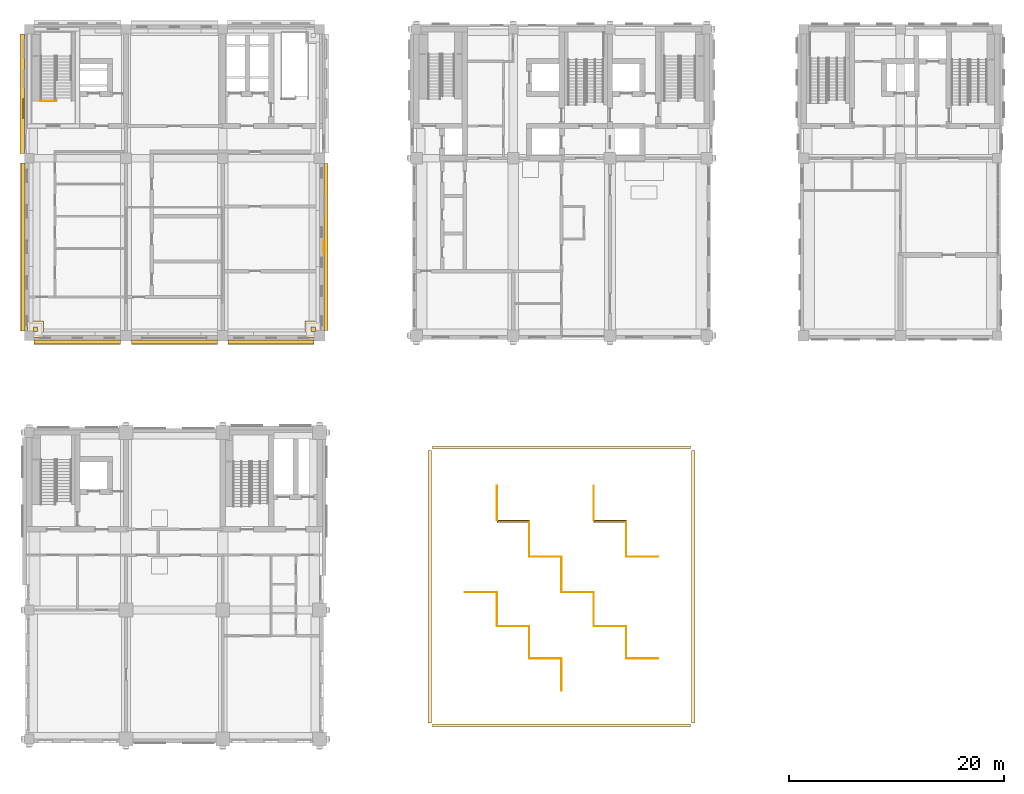
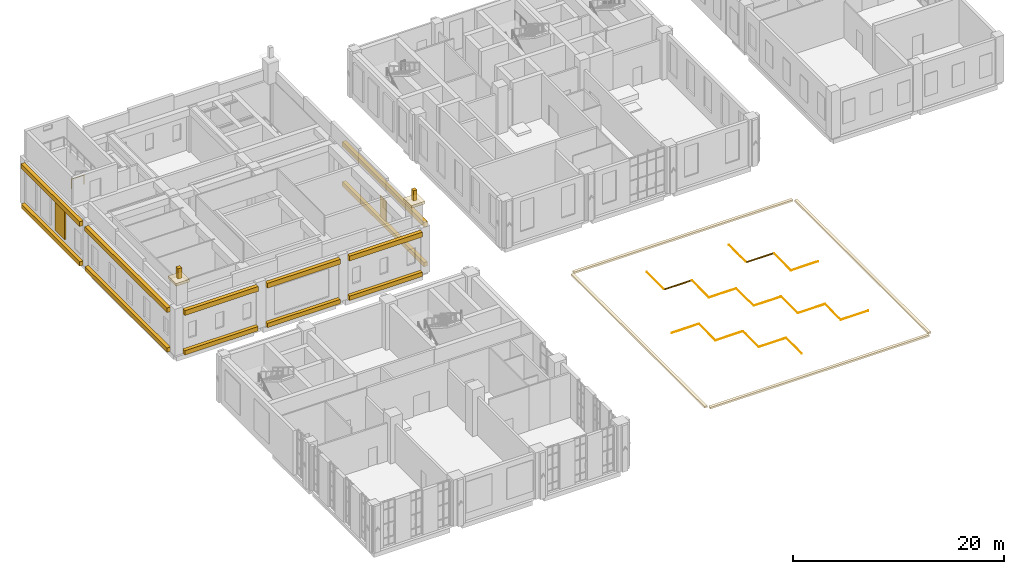
# One storey, part 29 of 37: 42 coverings, 1 railing.
"""IFC4 building model written with IfcOpenShell, lengths in metres."""

from ifc_helpers import new_model, si_unit, direction, frame, origin, origin_2d, place, context, subcontext, project, spatial, rectangle, circle, extrude, material, layer, layer_set, type_object, element, save


model = new_model("IFC4")

# Units and contexts
model_context = context("Model", 3, precision=1e-05, world=origin(), true_north=direction((0.0, 1.0)))
body_context = subcontext(model_context, "Body", "Model", "MODEL_VIEW")
ifc_project = project(units=[si_unit("LENGTHUNIT", "METRE"), si_unit("AREAUNIT", "SQUARE_METRE"), si_unit("VOLUMEUNIT", "CUBIC_METRE"), si_unit("PLANEANGLEUNIT", "RADIAN"), si_unit("MASSUNIT", "GRAM", prefix="KILO")], contexts=[model_context])

# Site, building, storey
site_placement = place(None, origin())
site = spatial("IfcSite", under=ifc_project, at=site_placement, CompositionType="ELEMENT")
building_placement = place(site_placement, origin())
building = spatial("IfcBuilding", under=site, at=building_placement, Name="Aurelan Courthouse", CompositionType="ELEMENT")
storey_placement = place(building_placement, frame((0.0, 0.0, 17.39990234375)))
storey = spatial("IfcBuildingStorey", under=building, at=storey_placement, Name="L03", CompositionType="ELEMENT", Elevation=17.39990234375)

# Coverings
ifc_material_1 = material(Name="Granite cladding", Category="masonry")
covering_type_1 = type_object("IfcCoveringType", Name="Crown cap 1500 x 300", PredefinedType="CLADDING", material=ifc_material_1)
for number, where, z_axis, x_axis, name in (
    (1, (0.60009765625, 38.10009765625, 7.80029296875), (0.0, 0.0, 1.0), (1.0, 0.0, 0.0), "Crown cap CR6-CAP-SW"),
    (2, (26.39990234375, 38.10009765625, 7.80029296875), (0.0, 0.0, 1.0), (1.0, 0.0, 0.0), "Crown cap CR6-CAP-SE"),
):
    element("IfcCovering", number, at=place(storey_placement, frame(where, z_axis=z_axis, x_axis=x_axis)), inside=storey, type_object=covering_type_1, Name=name, PredefinedType="CLADDING", context=body_context, shape_type="SweptSolid", body=[
        extrude(rectangle(XDim=1.5, YDim=1.5, at=origin_2d()), origin(), (0.0, 0.0, 1.0), 0.300048828125),
    ])
ifc_material_2 = material(Name="Bronze-finished aluminium", Category="aluminium")
covering_type_2 = type_object("IfcCoveringType", Name="Crown finial 400 x 1200", PredefinedType="CLADDING", material=ifc_material_2)
for number, where, z_axis, x_axis, name in (
    (3, (0.60009765625, 38.10009765625, 8.10009765625), (0.0, 0.0, 1.0), (1.0, 0.0, 0.0), "Crown finial CR6-FIN-SW"),
    (4, (26.39990234375, 38.10009765625, 8.10009765625), (0.0, 0.0, 1.0), (1.0, 0.0, 0.0), "Crown finial CR6-FIN-SE"),
):
    element("IfcCovering", number, at=place(storey_placement, frame(where, z_axis=z_axis, x_axis=x_axis)), inside=storey, type_object=covering_type_2, Name=name, PredefinedType="CLADDING", context=body_context, shape_type="SweptSolid", body=[
        extrude(rectangle(XDim=0.39990234375, YDim=0.39990234375, at=origin_2d()), origin(), (0.0, 0.0, 1.0), 1.199951171875),
    ])
ifc_material_3 = material(Name="Bronze sheet cladding")
ifc_layer_1 = layer(ifc_material_3, 0.06005859375)
ifc_layer_set_1 = layer_set([ifc_layer_1], Name="Bronze sheet cladding")
covering_type_3 = type_object("IfcCoveringType", Name="Custody Suite blind bay 1200 x 2400", PredefinedType="CLADDING", material=ifc_layer_set_1)
covering_1_placement = place(storey_placement, frame((27.429931640625, 45.75, 0.900146484375), z_axis=(0.0, 0.0, 1.0), x_axis=(1.0, 0.0, 0.0)))
element("IfcCovering", 5, at=covering_1_placement, inside=storey, type_object=covering_type_3, Name="Blind bay BB-V6-L03-007", PredefinedType="CLADDING", context=body_context, shape_type="SweptSolid", body=[
    extrude(rectangle(XDim=0.06005859375, YDim=1.199951171875, at=origin_2d()), origin(), (0.0, 0.0, 1.0), 2.39990234375),
])
ifc_material_4 = material(Name="Limestone cladding", Category="masonry")
covering_type_4 = type_object("IfcCoveringType", Name="Custody Suite cornice 550 x 400", PredefinedType="CLADDING", material=ifc_material_4)
covering_2_placement = place(storey_placement, frame((4.47509765625, 36.89990234375, 4.60009765625), z_axis=(0.0, 0.0, 1.0), x_axis=(1.0, 0.0, 0.0)))
element("IfcCovering", 6, at=covering_2_placement, inside=storey, type_object=covering_type_4, Name="Cornice CRN-V6-001", PredefinedType="CLADDING", context=body_context, shape_type="SweptSolid", body=[
    extrude(rectangle(XDim=8.050048828125, YDim=0.39990234375, at=origin_2d()), origin(), (0.0, 0.0, 1.0), 0.550048828125),
])
for number, where, z_axis, x_axis, name in (
    (7, (13.5, 36.89990234375, 4.60009765625), (0.0, 0.0, 1.0), (1.0, 0.0, 0.0), "Cornice CRN-V6-002"),
    (8, (22.5, 36.89990234375, 4.60009765625), (0.0, 0.0, 1.0), (1.0, 0.0, 0.0), "Cornice CRN-V6-003"),
):
    element("IfcCovering", number, at=place(storey_placement, frame(where, z_axis=z_axis, x_axis=x_axis)), inside=storey, type_object=covering_type_4, Name=name, PredefinedType="CLADDING", context=body_context, shape_type="SweptSolid", body=[
        extrude(rectangle(XDim=8.0, YDim=0.39990234375, at=origin_2d()), origin(), (0.0, 0.0, 1.0), 0.550048828125),
    ])
covering_3_placement = place(storey_placement, frame((-0.60009765625, 45.75, 4.60009765625), z_axis=(0.0, 0.0, 1.0), x_axis=(1.0, 0.0, 0.0)))
element("IfcCovering", 9, at=covering_3_placement, inside=storey, type_object=covering_type_4, Name="Cornice CRN-V6-004", PredefinedType="CLADDING", context=body_context, shape_type="SweptSolid", body=[
    extrude(rectangle(XDim=0.39990234375, YDim=15.60009765625, at=origin_2d()), origin(), (0.0, 0.0, 1.0), 0.550048828125),
])
covering_4_placement = place(storey_placement, frame((27.60009765625, 45.75, 4.60009765625), z_axis=(0.0, 0.0, 1.0), x_axis=(1.0, 0.0, 0.0)))
element("IfcCovering", 10, at=covering_4_placement, inside=storey, type_object=covering_type_4, Name="Cornice CRN-V6-005", PredefinedType="CLADDING", context=body_context, shape_type="SweptSolid", body=[
    extrude(rectangle(XDim=0.39990234375, YDim=15.5, at=origin_2d()), origin(), (0.0, 0.0, 1.0), 0.550048828125),
])
covering_5_placement = place(storey_placement, frame((-0.64990234375, 60.0, 4.60009765625), z_axis=(0.0, 0.0, 1.0), x_axis=(1.0, 0.0, 0.0)))
element("IfcCovering", 11, at=covering_5_placement, inside=storey, type_object=covering_type_4, Name="Cornice CRN-V6-006", PredefinedType="CLADDING", context=body_context, shape_type="SweptSolid", body=[
    extrude(rectangle(XDim=0.39990234375, YDim=11.10009765625, at=origin_2d()), origin(), (0.0, 0.0, 1.0), 0.550048828125),
])
covering_type_5 = type_object("IfcCoveringType", Name="Custody Suite string course 500 x 380", PredefinedType="CLADDING", material=ifc_material_4)
covering_6_placement = place(storey_placement, frame((4.47509765625, 36.909912109375, 0.0), z_axis=(0.0, 0.0, 1.0), x_axis=(1.0, 0.0, 0.0)))
element("IfcCovering", 12, at=covering_6_placement, inside=storey, type_object=covering_type_5, Name="String course SC-V6-011", PredefinedType="CLADDING", context=body_context, shape_type="SweptSolid", body=[
    extrude(rectangle(XDim=8.050048828125, YDim=0.3798828125, at=origin_2d()), origin(), (0.0, 0.0, 1.0), 0.5),
])
for number, where, z_axis, x_axis, name in (
    (13, (13.5, 36.909912109375, 0.0), (0.0, 0.0, 1.0), (1.0, 0.0, 0.0), "String course SC-V6-012"),
    (14, (22.5, 36.909912109375, 0.0), (0.0, 0.0, 1.0), (1.0, 0.0, 0.0), "String course SC-V6-013"),
):
    element("IfcCovering", number, at=place(storey_placement, frame(where, z_axis=z_axis, x_axis=x_axis)), inside=storey, type_object=covering_type_5, Name=name, PredefinedType="CLADDING", context=body_context, shape_type="SweptSolid", body=[
        extrude(rectangle(XDim=8.0, YDim=0.3798828125, at=origin_2d()), origin(), (0.0, 0.0, 1.0), 0.5),
    ])
covering_7_placement = place(storey_placement, frame((-0.590087890625, 45.75, 0.0), z_axis=(0.0, 0.0, 1.0), x_axis=(1.0, 0.0, 0.0)))
element("IfcCovering", 15, at=covering_7_placement, inside=storey, type_object=covering_type_5, Name="String course SC-V6-014", PredefinedType="CLADDING", context=body_context, shape_type="SweptSolid", body=[
    extrude(rectangle(XDim=0.3798828125, YDim=15.60009765625, at=origin_2d()), origin(), (0.0, 0.0, 1.0), 0.5),
])
covering_8_placement = place(storey_placement, frame((27.590087890625, 45.75, 0.0), z_axis=(0.0, 0.0, 1.0), x_axis=(1.0, 0.0, 0.0)))
element("IfcCovering", 16, at=covering_8_placement, inside=storey, type_object=covering_type_5, Name="String course SC-V6-015", PredefinedType="CLADDING", context=body_context, shape_type="SweptSolid", body=[
    extrude(rectangle(XDim=0.3798828125, YDim=15.5, at=origin_2d()), origin(), (0.0, 0.0, 1.0), 0.5),
])
covering_9_placement = place(storey_placement, frame((-0.639892578125, 60.0, 0.0), z_axis=(0.0, 0.0, 1.0), x_axis=(1.0, 0.0, 0.0)))
element("IfcCovering", 17, at=covering_9_placement, inside=storey, type_object=covering_type_5, Name="String course SC-V6-016", PredefinedType="CLADDING", context=body_context, shape_type="SweptSolid", body=[
    extrude(rectangle(XDim=0.3798828125, YDim=11.10009765625, at=origin_2d()), origin(), (0.0, 0.0, 1.0), 0.5),
])
ifc_material_5 = material(Name="Zinc standing-seam cladding")
covering_type_6 = type_object("IfcCoveringType", Name="Frame edge gutter 300 x 200", PredefinedType="ROOFING", material=ifc_material_5)
for number, where, z_axis, x_axis, name in (
    (18, (49.5, 1.25, 2.3701171875), (0.0, 0.0, 1.0), (1.0, 0.0, 0.0), "Frame edge gutter SFE-1"),
    (19, (49.5, 27.10009765625, 2.3701171875), (0.0, 0.0, 1.0), (1.0, 0.0, 0.0), "Frame edge gutter SFE-2"),
):
    element("IfcCovering", number, at=place(storey_placement, frame(where, z_axis=z_axis, x_axis=x_axis)), inside=storey, type_object=covering_type_6, Name=name, PredefinedType="ROOFING", context=body_context, shape_type="SweptSolid", body=[
        extrude(rectangle(XDim=24.0, YDim=0.300048828125, at=origin_2d()), origin(), (0.0, 0.0, 1.0), 0.199951171875),
    ])
for number, where, z_axis, x_axis, name in (
    (20, (37.25, 14.175048828125, 2.3701171875), (0.0, 0.0, 1.0), (1.0, 0.0, 0.0), "Frame edge gutter SFE-3"),
    (21, (61.75, 14.175048828125, 2.3701171875), (0.0, 0.0, 1.0), (1.0, 0.0, 0.0), "Frame edge gutter SFE-4"),
):
    element("IfcCovering", number, at=place(storey_placement, frame(where, z_axis=z_axis, x_axis=x_axis)), inside=storey, type_object=covering_type_6, Name=name, PredefinedType="ROOFING", context=body_context, shape_type="SweptSolid", body=[
        extrude(rectangle(XDim=0.300048828125, YDim=25.35009765625, at=origin_2d()), origin(), (0.0, 0.0, 1.0), 0.199951171875),
    ])
ifc_layer_2 = layer(ifc_material_3, 0.14990234375)
ifc_layer_set_2 = layer_set([ifc_layer_2], Name="Bronze sheet cladding")
covering_type_7 = type_object("IfcCoveringType", Name="Relief panel 1800 x 3550 x 150", PredefinedType="CLADDING", material=ifc_layer_set_2)
covering_10_placement = place(storey_placement, frame((-0.52490234375, 58.612548828125, 1.0), z_axis=(0.0, 0.0, 1.0), x_axis=(1.0, 0.0, 0.0)))
element("IfcCovering", 22, at=covering_10_placement, inside=storey, type_object=covering_type_7, Name="Relief panel RP-V6-014", PredefinedType="CLADDING", context=body_context, shape_type="SweptSolid", body=[
    extrude(rectangle(XDim=0.14990234375, YDim=1.800048828125, at=origin_2d()), origin(), (0.0, 0.0, 1.0), 3.550048828125),
])
covering_type_8 = type_object("IfcCoveringType", Name="Roof glazing bar 20 x 52", PredefinedType="CLADDING", material=ifc_material_3)
covering_11_placement = place(storey_placement, frame((43.5, 12.074951171875, 2.52001953125), z_axis=(0.0, 0.0, 1.0), x_axis=(1.0, 0.0, 0.0)))
element("IfcCovering", 23, at=covering_11_placement, inside=storey, type_object=covering_type_8, Name="Roof glazing bar SFX-1", PredefinedType="CLADDING", context=body_context, shape_type="SweptSolid", body=[
    extrude(rectangle(XDim=0.02001953125, YDim=3.1298828125, at=origin_2d()), origin(), (0.0, 0.0, 1.0), 0.052001953125),
])
covering_12_placement = place(storey_placement, frame((42.0, 13.64990234375, 2.52001953125), z_axis=(0.0, 0.0, 1.0), x_axis=(1.0, 0.0, 0.0)))
element("IfcCovering", 24, at=covering_12_placement, inside=storey, type_object=covering_type_8, Name="Roof glazing bar SFX-2", PredefinedType="CLADDING", context=body_context, shape_type="SweptSolid", body=[
    extrude(rectangle(XDim=2.97998046875, YDim=0.02001953125, at=origin_2d()), origin(), (0.0, 0.0, 1.0), 0.052001953125),
])
covering_13_placement = place(storey_placement, frame((43.5, 21.9375, 2.52001953125), z_axis=(0.0, 0.0, 1.0), x_axis=(1.0, 0.0, 0.0)))
element("IfcCovering", 25, at=covering_13_placement, inside=storey, type_object=covering_type_8, Name="Roof glazing bar SFX-3", PredefinedType="CLADDING", context=body_context, shape_type="SweptSolid", body=[
    extrude(rectangle(XDim=0.02001953125, YDim=3.205078125, at=origin_2d()), origin(), (0.0, 0.0, 1.0), 0.052001953125),
])
covering_14_placement = place(storey_placement, frame((46.5, 9.0, 2.52001953125), z_axis=(0.0, 0.0, 1.0), x_axis=(1.0, 0.0, 0.0)))
element("IfcCovering", 26, at=covering_14_placement, inside=storey, type_object=covering_type_8, Name="Roof glazing bar SFX-4", PredefinedType="CLADDING", context=body_context, shape_type="SweptSolid", body=[
    extrude(rectangle(XDim=0.02001953125, YDim=2.97998046875, at=origin_2d()), origin(), (0.0, 0.0, 1.0), 0.052001953125),
])
covering_15_placement = place(storey_placement, frame((45.0, 10.5, 2.52001953125), z_axis=(0.0, 0.0, 1.0), x_axis=(1.0, 0.0, 0.0)))
element("IfcCovering", 27, at=covering_15_placement, inside=storey, type_object=covering_type_8, Name="Roof glazing bar SFX-5", PredefinedType="CLADDING", context=body_context, shape_type="SweptSolid", body=[
    extrude(rectangle(XDim=2.97998046875, YDim=0.02001953125, at=origin_2d()), origin(), (0.0, 0.0, 1.0), 0.052001953125),
])
covering_16_placement = place(storey_placement, frame((46.5, 18.5625, 2.52001953125), z_axis=(0.0, 0.0, 1.0), x_axis=(1.0, 0.0, 0.0)))
element("IfcCovering", 28, at=covering_16_placement, inside=storey, type_object=covering_type_8, Name="Roof glazing bar SFX-6", PredefinedType="CLADDING", context=body_context, shape_type="SweptSolid", body=[
    extrude(rectangle(XDim=0.02001953125, YDim=3.205078125, at=origin_2d()), origin(), (0.0, 0.0, 1.0), 0.052001953125),
])
covering_17_placement = place(storey_placement, frame((45.0, 20.25, 2.52001953125), z_axis=(0.0, 0.0, 1.0), x_axis=(1.0, 0.0, 0.0)))
element("IfcCovering", 29, at=covering_17_placement, inside=storey, type_object=covering_type_8, Name="Roof glazing bar SFX-7", PredefinedType="CLADDING", context=body_context, shape_type="SweptSolid", body=[
    extrude(rectangle(XDim=2.97998046875, YDim=0.169921875, at=origin_2d()), origin(), (0.0, 0.0, 1.0), 0.052001953125),
])
covering_18_placement = place(storey_placement, frame((49.5, 6.0, 2.52001953125), z_axis=(0.0, 0.0, 1.0), x_axis=(1.0, 0.0, 0.0)))
element("IfcCovering", 30, at=covering_18_placement, inside=storey, type_object=covering_type_8, Name="Roof glazing bar SFX-8", PredefinedType="CLADDING", context=body_context, shape_type="SweptSolid", body=[
    extrude(rectangle(XDim=0.02001953125, YDim=2.97998046875, at=origin_2d()), origin(), (0.0, 0.0, 1.0), 0.052001953125),
])
covering_19_placement = place(storey_placement, frame((48.0, 7.5, 2.52001953125), z_axis=(0.0, 0.0, 1.0), x_axis=(1.0, 0.0, 0.0)))
element("IfcCovering", 31, at=covering_19_placement, inside=storey, type_object=covering_type_8, Name="Roof glazing bar SFX-9", PredefinedType="CLADDING", context=body_context, shape_type="SweptSolid", body=[
    extrude(rectangle(XDim=2.97998046875, YDim=0.02001953125, at=origin_2d()), origin(), (0.0, 0.0, 1.0), 0.052001953125),
])
covering_20_placement = place(storey_placement, frame((49.5, 15.300048828125, 2.52001953125), z_axis=(0.0, 0.0, 1.0), x_axis=(1.0, 0.0, 0.0)))
element("IfcCovering", 32, at=covering_20_placement, inside=storey, type_object=covering_type_8, Name="Roof glazing bar SFX-10", PredefinedType="CLADDING", context=body_context, shape_type="SweptSolid", body=[
    extrude(rectangle(XDim=0.02001953125, YDim=3.280029296875, at=origin_2d()), origin(), (0.0, 0.0, 1.0), 0.052001953125),
])
covering_21_placement = place(storey_placement, frame((48.0, 16.949951171875, 2.52001953125), z_axis=(0.0, 0.0, 1.0), x_axis=(1.0, 0.0, 0.0)))
element("IfcCovering", 33, at=covering_21_placement, inside=storey, type_object=covering_type_8, Name="Roof glazing bar SFX-11", PredefinedType="CLADDING", context=body_context, shape_type="SweptSolid", body=[
    extrude(rectangle(XDim=2.97998046875, YDim=0.02001953125, at=origin_2d()), origin(), (0.0, 0.0, 1.0), 0.052001953125),
])
covering_22_placement = place(storey_placement, frame((52.5, 12.074951171875, 2.52001953125), z_axis=(0.0, 0.0, 1.0), x_axis=(1.0, 0.0, 0.0)))
element("IfcCovering", 34, at=covering_22_placement, inside=storey, type_object=covering_type_8, Name="Roof glazing bar SFX-12", PredefinedType="CLADDING", context=body_context, shape_type="SweptSolid", body=[
    extrude(rectangle(XDim=0.02001953125, YDim=3.1298828125, at=origin_2d()), origin(), (0.0, 0.0, 1.0), 0.052001953125),
])
covering_23_placement = place(storey_placement, frame((51.0, 13.64990234375, 2.52001953125), z_axis=(0.0, 0.0, 1.0), x_axis=(1.0, 0.0, 0.0)))
element("IfcCovering", 35, at=covering_23_placement, inside=storey, type_object=covering_type_8, Name="Roof glazing bar SFX-13", PredefinedType="CLADDING", context=body_context, shape_type="SweptSolid", body=[
    extrude(rectangle(XDim=2.97998046875, YDim=0.02001953125, at=origin_2d()), origin(), (0.0, 0.0, 1.0), 0.052001953125),
])
covering_24_placement = place(storey_placement, frame((52.5, 21.9375, 2.52001953125), z_axis=(0.0, 0.0, 1.0), x_axis=(1.0, 0.0, 0.0)))
element("IfcCovering", 36, at=covering_24_placement, inside=storey, type_object=covering_type_8, Name="Roof glazing bar SFX-14", PredefinedType="CLADDING", context=body_context, shape_type="SweptSolid", body=[
    extrude(rectangle(XDim=0.02001953125, YDim=3.205078125, at=origin_2d()), origin(), (0.0, 0.0, 1.0), 0.052001953125),
])
covering_25_placement = place(storey_placement, frame((55.5, 9.0, 2.52001953125), z_axis=(0.0, 0.0, 1.0), x_axis=(1.0, 0.0, 0.0)))
element("IfcCovering", 37, at=covering_25_placement, inside=storey, type_object=covering_type_8, Name="Roof glazing bar SFX-15", PredefinedType="CLADDING", context=body_context, shape_type="SweptSolid", body=[
    extrude(rectangle(XDim=0.02001953125, YDim=2.97998046875, at=origin_2d()), origin(), (0.0, 0.0, 1.0), 0.052001953125),
])
covering_26_placement = place(storey_placement, frame((54.0, 10.5, 2.52001953125), z_axis=(0.0, 0.0, 1.0), x_axis=(1.0, 0.0, 0.0)))
element("IfcCovering", 38, at=covering_26_placement, inside=storey, type_object=covering_type_8, Name="Roof glazing bar SFX-16", PredefinedType="CLADDING", context=body_context, shape_type="SweptSolid", body=[
    extrude(rectangle(XDim=2.97998046875, YDim=0.02001953125, at=origin_2d()), origin(), (0.0, 0.0, 1.0), 0.052001953125),
])
covering_27_placement = place(storey_placement, frame((55.5, 18.5625, 2.52001953125), z_axis=(0.0, 0.0, 1.0), x_axis=(1.0, 0.0, 0.0)))
element("IfcCovering", 39, at=covering_27_placement, inside=storey, type_object=covering_type_8, Name="Roof glazing bar SFX-17", PredefinedType="CLADDING", context=body_context, shape_type="SweptSolid", body=[
    extrude(rectangle(XDim=0.02001953125, YDim=3.205078125, at=origin_2d()), origin(), (0.0, 0.0, 1.0), 0.052001953125),
])
covering_28_placement = place(storey_placement, frame((54.0, 20.25, 2.52001953125), z_axis=(0.0, 0.0, 1.0), x_axis=(1.0, 0.0, 0.0)))
element("IfcCovering", 40, at=covering_28_placement, inside=storey, type_object=covering_type_8, Name="Roof glazing bar SFX-18", PredefinedType="CLADDING", context=body_context, shape_type="SweptSolid", body=[
    extrude(rectangle(XDim=2.97998046875, YDim=0.169921875, at=origin_2d()), origin(), (0.0, 0.0, 1.0), 0.052001953125),
])
for number, where, z_axis, x_axis, name in (
    (41, (57.0, 7.5, 2.52001953125), (0.0, 0.0, 1.0), (1.0, 0.0, 0.0), "Roof glazing bar SFX-19"),
    (42, (57.0, 16.949951171875, 2.52001953125), (0.0, 0.0, 1.0), (1.0, 0.0, 0.0), "Roof glazing bar SFX-20"),
):
    element("IfcCovering", number, at=place(storey_placement, frame(where, z_axis=z_axis, x_axis=x_axis)), inside=storey, type_object=covering_type_8, Name=name, PredefinedType="CLADDING", context=body_context, shape_type="SweptSolid", body=[
        extrude(rectangle(XDim=2.97998046875, YDim=0.02001953125, at=origin_2d()), origin(), (0.0, 0.0, 1.0), 0.052001953125),
    ])

# Railing
ifc_material_6 = material(Name="Steel S355", Category="steel")
railing_type = type_object("IfcRailingType", Name="Stair guard 1100", PredefinedType="GUARDRAIL", material=ifc_material_6)
railing_placement = place(storey_placement, frame((2.4599609375, 59.31005859375, 5.400146484375)))
element("IfcRailing", 43, at=railing_placement, inside=storey, type_object=railing_type, Name="Guard ST-6-L03-G1", PredefinedType="GUARDRAIL", context=body_context, shape_type="SweptSolid", body=[
    extrude(circle(Radius=0.02392578125, at=origin_2d()), frame((0.0, 0.0, 1.076171875), z_axis=(-1.0, 0.0, 0.0), x_axis=(0.0, -1.0, 0.0)), (0.0, 0.0, 1.0), 1.39990234375),
    extrude(circle(Radius=0.02099609375, at=origin_2d()), origin(), (0.0, 0.0, 1.0), 1.052001953125),
    extrude(circle(Radius=0.02099609375, at=origin_2d()), frame((-1.39990234375, 0.0, 0.0)), (0.0, 0.0, 1.0), 1.052001953125),
])

save(model, "model.ifc")
